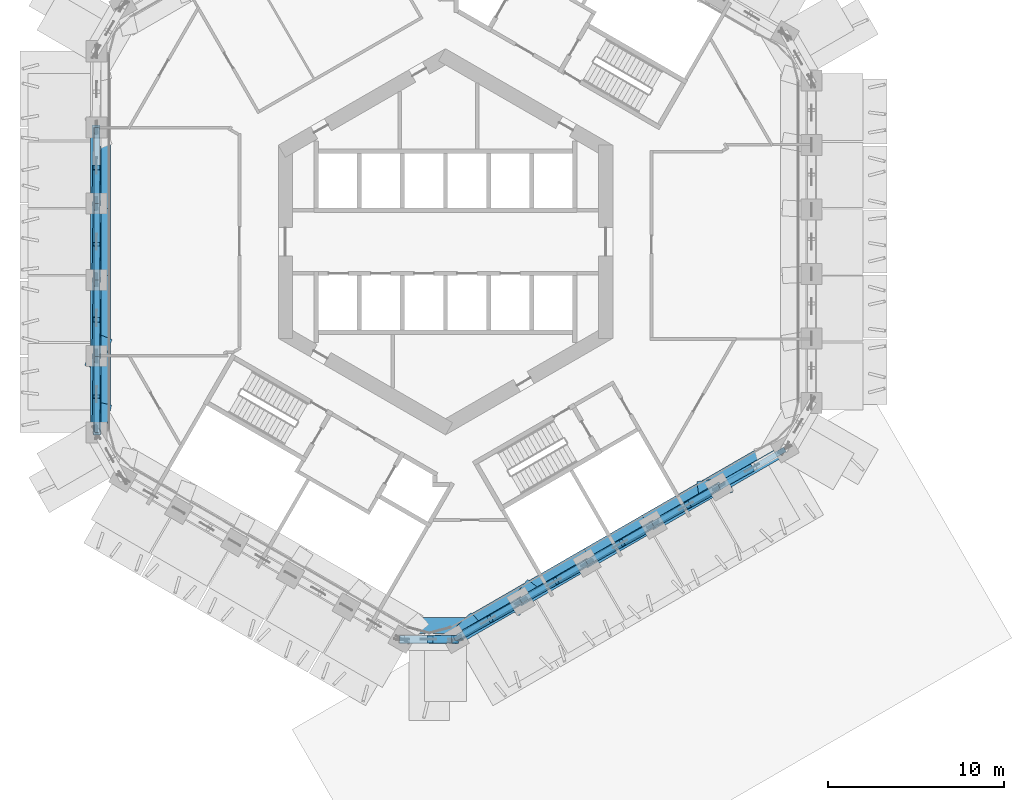
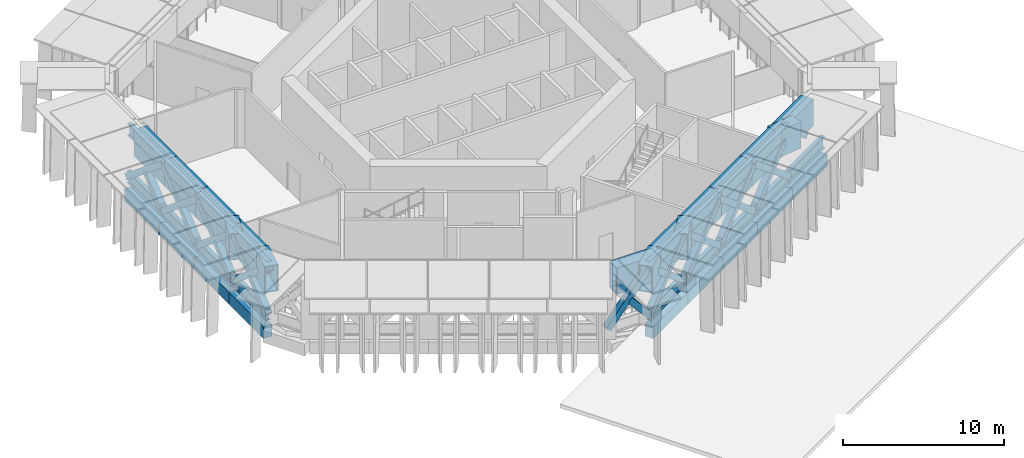
# One storey, part 2 of 16: 43 members, 24 beams.
"""IFC4 building model written with IfcOpenShell, lengths in metres."""

from ifc_helpers import new_model, si_unit, direction, frame, origin, origin_2d, place, context, subcontext, project, spatial, rectangle, hollow_rectangle, i_section, extrude, material, material_profile, profile_set, type_object, element, save


model = new_model("IFC4")

# Units and contexts
model_context = context("Model", 3, precision=1e-05, world=origin(), true_north=direction((0.0, 1.0)))
body_context = subcontext(model_context, "Body", "Model", "MODEL_VIEW")
ifc_project = project(units=[si_unit("LENGTHUNIT", "METRE"), si_unit("AREAUNIT", "SQUARE_METRE"), si_unit("VOLUMEUNIT", "CUBIC_METRE"), si_unit("PLANEANGLEUNIT", "RADIAN"), si_unit("MASSUNIT", "GRAM", prefix="KILO")], contexts=[model_context])

# Site, building, storey
site_placement = place(None, origin())
site = spatial("IfcSite", under=ifc_project, at=site_placement, CompositionType="ELEMENT")
building_placement = place(site_placement, origin())
building = spatial("IfcBuilding", under=site, at=building_placement, Name="Ayvan Gate Tower", CompositionType="ELEMENT")
storey_placement = place(building_placement, frame((0.0, 0.0, 78.300048828125)))
storey = spatial("IfcBuildingStorey", under=building, at=storey_placement, Name="L20", CompositionType="ELEMENT", Elevation=78.300048828125)

# Members
ifc_material_1 = material(Name="Steel S460ML", Category="steel")
ifc_material_profile_1 = material_profile(ifc_material_1, hollow_rectangle(XDim=0.449951171875, YDim=0.449951171875, WallThickness=0.02490234375, at=origin_2d()), Name="BOX 450x450x25")
ifc_profile_set_1 = profile_set([ifc_material_profile_1], Name="Steel S460ML")
member_type_1 = type_object("IfcMemberType", Name="Belt truss brace BT1 BOX 450x450x25", PredefinedType="BRACE", material=ifc_profile_set_1)
member_1_placement = place(storey_placement, frame((-19.855224609375, 6.482666015625, 0.449951171875), z_axis=(0.011097734625, -0.772166393817, 0.635323461353), x_axis=(0.999896735842, 0.014370722056, 0.0)))
element("IfcMember", 1, at=member_1_placement, inside=storey, type_object=member_type_1, Name="BT1-DA-20", PredefinedType="BRACE", context=body_context, shape_type="SweptSolid", body=[
    extrude(hollow_rectangle(XDim=0.449951171875, YDim=0.449951171875, WallThickness=0.02490234375, at=origin_2d()), origin(), (0.0, 0.0, 1.0), 5.587890625),
])
member_2_placement = place(storey_placement, frame((-19.855224609375, 2.160888671875, 0.449951171875), z_axis=(0.011060335074, 0.774223455215, 0.632815700171), x_axis=(-0.9998979748, 0.014284256783, 0.0)))
element("IfcMember", 2, at=member_2_placement, inside=storey, type_object=member_type_1, Name="BT1-DB-20", PredefinedType="BRACE", context=body_context, shape_type="SweptSolid", body=[
    extrude(hollow_rectangle(XDim=0.449951171875, YDim=0.449951171875, WallThickness=0.02490234375, at=origin_2d()), origin(), (0.0, 0.0, 1.0), 2.6708984375),
])
member_3_placement = place(storey_placement, frame((-19.855224609375, 2.160888671875, 0.449951171875), z_axis=(0.011076047031, -0.773186574427, 0.634081889276), x_axis=(0.99989741021, 0.014323723546, 0.0)))
element("IfcMember", 3, at=member_3_placement, inside=storey, type_object=member_type_1, Name="BT1-DA-21", PredefinedType="BRACE", context=body_context, shape_type="SweptSolid", body=[
    extrude(hollow_rectangle(XDim=0.449951171875, YDim=0.449951171875, WallThickness=0.02490234375, at=origin_2d()), origin(), (0.0, 0.0, 1.0), 5.5986328125),
])
member_4_placement = place(storey_placement, frame((-19.855224609375, -2.160888671875, 0.449951171875), z_axis=(0.011083709293, 0.773203224326, 0.63406145229), x_axis=(-0.999897272665, 0.01433332188, 0.0)))
element("IfcMember", 4, at=member_4_placement, inside=storey, type_object=member_type_1, Name="BT1-DB-21", PredefinedType="BRACE", context=body_context, shape_type="SweptSolid", body=[
    extrude(hollow_rectangle(XDim=0.449951171875, YDim=0.449951171875, WallThickness=0.02490234375, at=origin_2d()), origin(), (0.0, 0.0, 1.0), 2.665283203125),
])
member_5_placement = place(storey_placement, frame((-19.82275390625, 0.10009765625, 2.30419921875), z_axis=(0.011045625164, 0.773193761481, 0.634073656109), x_axis=(-0.9998979748, 0.014284256783, 0.0)))
element("IfcMember", 5, at=member_5_placement, inside=storey, type_object=member_type_1, Name="BT1-DC-21", PredefinedType="BRACE", context=body_context, shape_type="SweptSolid", body=[
    extrude(hollow_rectangle(XDim=0.449951171875, YDim=0.449951171875, WallThickness=0.02490234375, at=origin_2d()), origin(), (0.0, 0.0, 1.0), 2.674560546875),
])
member_6_placement = place(storey_placement, frame((-19.855224609375, -2.160888671875, 0.449951171875), z_axis=(0.011054043191, -0.774218221927, 0.632822212762), x_axis=(0.999898089449, 0.014276229046, 0.0)))
element("IfcMember", 6, at=member_6_placement, inside=storey, type_object=member_type_1, Name="BT1-DA-22", PredefinedType="BRACE", context=body_context, shape_type="SweptSolid", body=[
    extrude(hollow_rectangle(XDim=0.449951171875, YDim=0.449951171875, WallThickness=0.02490234375, at=origin_2d()), origin(), (0.0, 0.0, 1.0), 5.60986328125),
])
member_7_placement = place(storey_placement, frame((-19.855224609375, -6.482666015625, 0.449951171875), z_axis=(0.01110650579, 0.772131625665, 0.635365562631), x_axis=(-0.999896563259, 0.014382725173, 0.0)))
element("IfcMember", 7, at=member_7_placement, inside=storey, type_object=member_type_1, Name="BT1-DB-22", PredefinedType="BRACE", context=body_context, shape_type="SweptSolid", body=[
    extrude(hollow_rectangle(XDim=0.449951171875, YDim=0.449951171875, WallThickness=0.02490234375, at=origin_2d()), origin(), (0.0, 0.0, 1.0), 2.659912109375),
])
member_8_placement = place(storey_placement, frame((-19.82275390625, -4.22900390625, 2.30419921875), z_axis=(0.011067483184, 0.772162752363, 0.635328414821), x_axis=(-0.999897296997, 0.014331624371, 0.0)))
element("IfcMember", 8, at=member_8_placement, inside=storey, type_object=member_type_1, Name="BT1-DC-22", PredefinedType="BRACE", context=body_context, shape_type="SweptSolid", body=[
    extrude(hollow_rectangle(XDim=0.449951171875, YDim=0.449951171875, WallThickness=0.02490234375, at=origin_2d()), origin(), (0.0, 0.0, 1.0), 2.669189453125),
])
member_9_placement = place(storey_placement, frame((-19.855224609375, -6.482666015625, 0.449951171875), z_axis=(0.011032097526, -0.775243735185, 0.631565866621), x_axis=(0.999898761966, 0.014229048436, 0.0)))
element("IfcMember", 9, at=member_9_placement, inside=storey, type_object=member_type_1, Name="BT1-DA-23", PredefinedType="BRACE", context=body_context, shape_type="SweptSolid", body=[
    extrude(hollow_rectangle(XDim=0.449951171875, YDim=0.449951171875, WallThickness=0.02490234375, at=origin_2d()), origin(), (0.0, 0.0, 1.0), 5.62109375),
])
member_10_placement = place(storey_placement, frame((-19.855224609375, -10.8046875, 0.449951171875), z_axis=(0.011129226693, 0.771135839605, 0.636573371411), x_axis=(-0.999895871319, 0.014430749097, 0.0)))
element("IfcMember", 10, at=member_10_placement, inside=storey, type_object=member_type_1, Name="BT1-DB-23", PredefinedType="BRACE", context=body_context, shape_type="SweptSolid", body=[
    extrude(hollow_rectangle(XDim=0.449951171875, YDim=0.449951171875, WallThickness=0.02490234375, at=origin_2d()), origin(), (0.0, 0.0, 1.0), 2.654296875),
])
member_11_placement = place(storey_placement, frame((-19.82275390625, -8.55810546875, 2.304443359375), z_axis=(0.011090829327, 0.771133447352, 0.636576939482), x_axis=(-0.999896587843, 0.014381015943, 0.0)))
element("IfcMember", 11, at=member_11_placement, inside=storey, type_object=member_type_1, Name="BT1-DC-23", PredefinedType="BRACE", context=body_context, shape_type="SweptSolid", body=[
    extrude(hollow_rectangle(XDim=0.449951171875, YDim=0.449951171875, WallThickness=0.02490234375, at=origin_2d()), origin(), (0.0, 0.0, 1.0), 2.66357421875),
])
member_12_placement = place(storey_placement, frame((-2.429443359375, -22.597412109375, 0.449951171875), z_axis=(0.637550547431, 0.007787928409, 0.770369163221), x_axis=(-0.012214478467, 0.999925400475, 0.0)))
element("IfcMember", 12, at=member_12_placement, inside=storey, type_object=member_type_1, Name="BT1-DA-30", PredefinedType="BRACE", context=body_context, shape_type="SweptSolid", body=[
    extrude(hollow_rectangle(XDim=0.449951171875, YDim=0.449951171875, WallThickness=0.02490234375, at=origin_2d()), origin(), (0.0, 0.0, 1.0), 4.608154296875),
])
member_13_placement = place(storey_placement, frame((0.570556640625, -22.597412109375, 0.449951171875), z_axis=(-0.653109793759, 0.007712160183, 0.757223956225), x_axis=(-0.011807543893, -0.999930288524, 0.0)))
element("IfcMember", 13, at=member_13_placement, inside=storey, type_object=member_type_1, Name="BT1-DB-30", PredefinedType="BRACE", context=body_context, shape_type="SweptSolid", body=[
    extrude(hollow_rectangle(XDim=0.449951171875, YDim=0.449951171875, WallThickness=0.02490234375, at=origin_2d()), origin(), (0.0, 0.0, 1.0), 2.216064453125),
])
member_14_placement = place(storey_placement, frame((0.570556640625, -22.597412109375, 0.449951171875), z_axis=(0.662247160922, 0.395194362507, 0.636592580615), x_axis=(-0.512440630482, 0.858722656177, 0.0)))
element("IfcMember", 14, at=member_14_placement, inside=storey, type_object=member_type_1, Name="BT1-DA-31", PredefinedType="BRACE", context=body_context, shape_type="SweptSolid", body=[
    extrude(hollow_rectangle(XDim=0.449951171875, YDim=0.449951171875, WallThickness=0.02490234375, at=origin_2d()), origin(), (0.0, 0.0, 1.0), 5.57666015625),
])
member_15_placement = place(storey_placement, frame((4.313232421875, -20.4365234375, 0.449951171875), z_axis=(-0.676868380421, -0.378024604915, 0.631622192188), x_axis=(0.487599820188, -0.873067245607, 0.0)))
element("IfcMember", 15, at=member_15_placement, inside=storey, type_object=member_type_1, Name="BT1-DB-31", PredefinedType="BRACE", context=body_context, shape_type="SweptSolid", body=[
    extrude(hollow_rectangle(XDim=0.449951171875, YDim=0.449951171875, WallThickness=0.02490234375, at=origin_2d()), origin(), (0.0, 0.0, 1.0), 2.67626953125),
])
member_16_placement = place(storey_placement, frame((2.326416015625, -21.546142578125, 2.3037109375), z_axis=(-0.676867414501, -0.378067630528, 0.631597474611), x_axis=(0.487642651369, -0.873043323418, 0.0)))
element("IfcMember", 16, at=member_16_placement, inside=storey, type_object=member_type_1, Name="BT1-DC-31", PredefinedType="BRACE", context=body_context, shape_type="SweptSolid", body=[
    extrude(hollow_rectangle(XDim=0.449951171875, YDim=0.449951171875, WallThickness=0.02490234375, at=origin_2d()), origin(), (0.0, 0.0, 1.0), 2.685791015625),
])
member_17_placement = place(storey_placement, frame((4.313232421875, -20.4365234375, 0.449951171875), z_axis=(0.663178716031, 0.395705226371, 0.635304151117), x_axis=(-0.512397623418, 0.858748319076, 0.0)))
element("IfcMember", 17, at=member_17_placement, inside=storey, type_object=member_type_1, Name="BT1-DA-32", PredefinedType="BRACE", context=body_context, shape_type="SweptSolid", body=[
    extrude(hollow_rectangle(XDim=0.449951171875, YDim=0.449951171875, WallThickness=0.02490234375, at=origin_2d()), origin(), (0.0, 0.0, 1.0), 5.587890625),
])
member_18_placement = place(storey_placement, frame((8.05615234375, -18.275390625, 0.449951171875), z_axis=(-0.676022082668, -0.37758886202, 0.632788112265), x_axis=(0.487636150485, -0.873046954488, 0.0)))
element("IfcMember", 18, at=member_18_placement, inside=storey, type_object=member_type_1, Name="BT1-DB-32", PredefinedType="BRACE", context=body_context, shape_type="SweptSolid", body=[
    extrude(hollow_rectangle(XDim=0.449951171875, YDim=0.449951171875, WallThickness=0.02490234375, at=origin_2d()), origin(), (0.0, 0.0, 1.0), 2.6708984375),
])
member_19_placement = place(storey_placement, frame((6.07568359375, -19.381591796875, 2.303955078125), z_axis=(-0.676047362358, -0.377555418617, 0.632781059863), x_axis=(0.487589330989, -0.873073103643, 0.0)))
element("IfcMember", 19, at=member_19_placement, inside=storey, type_object=member_type_1, Name="BT1-DC-32", PredefinedType="BRACE", context=body_context, shape_type="SweptSolid", body=[
    extrude(hollow_rectangle(XDim=0.449951171875, YDim=0.449951171875, WallThickness=0.02490234375, at=origin_2d()), origin(), (0.0, 0.0, 1.0), 2.680419921875),
])
member_20_placement = place(storey_placement, frame((8.05615234375, -18.275390625, 0.449951171875), z_axis=(0.66407886409, 0.396162353422, 0.634077796489), x_axis=(-0.512321353075, 0.858793823443, 0.0)))
element("IfcMember", 20, at=member_20_placement, inside=storey, type_object=member_type_1, Name="BT1-DA-33", PredefinedType="BRACE", context=body_context, shape_type="SweptSolid", body=[
    extrude(hollow_rectangle(XDim=0.449951171875, YDim=0.449951171875, WallThickness=0.02490234375, at=origin_2d()), origin(), (0.0, 0.0, 1.0), 5.598876953125),
])
member_21_placement = place(storey_placement, frame((11.799072265625, -16.114501953125, 0.449951171875), z_axis=(-0.675167668455, -0.377016703753, 0.634040238916), x_axis=(0.48754257962, -0.873099211463, 0.0)))
element("IfcMember", 21, at=member_21_placement, inside=storey, type_object=member_type_1, Name="BT1-DB-33", PredefinedType="BRACE", context=body_context, shape_type="SweptSolid", body=[
    extrude(hollow_rectangle(XDim=0.449951171875, YDim=0.449951171875, WallThickness=0.02490234375, at=origin_2d()), origin(), (0.0, 0.0, 1.0), 2.665283203125),
])
member_22_placement = place(storey_placement, frame((9.82470703125, -17.217041015625, 2.30419921875), z_axis=(-0.67514630902, -0.377008417557, 0.634067910013), x_axis=(0.48754616895, -0.873097207155, 0.0)))
element("IfcMember", 22, at=member_22_placement, inside=storey, type_object=member_type_1, Name="BT1-DC-33", PredefinedType="BRACE", context=body_context, shape_type="SweptSolid", body=[
    extrude(hollow_rectangle(XDim=0.449951171875, YDim=0.449951171875, WallThickness=0.02490234375, at=origin_2d()), origin(), (0.0, 0.0, 1.0), 2.674560546875),
])
member_23_placement = place(storey_placement, frame((11.799072265625, -16.114501953125, 0.449951171875), z_axis=(0.66495091716, 0.396690071989, 0.632832730311), x_axis=(-0.512328484864, 0.858789568868, 0.0)))
element("IfcMember", 23, at=member_23_placement, inside=storey, type_object=member_type_1, Name="BT1-DA-34", PredefinedType="BRACE", context=body_context, shape_type="SweptSolid", body=[
    extrude(hollow_rectangle(XDim=0.449951171875, YDim=0.449951171875, WallThickness=0.02490234375, at=origin_2d()), origin(), (0.0, 0.0, 1.0), 5.60986328125),
])
member_24_placement = place(storey_placement, frame((15.541748046875, -13.95361328125, 0.449951171875), z_axis=(-0.674245216454, -0.37649794145, 0.635328803198), x_axis=(0.487538965836, -0.873101229407, 0.0)))
element("IfcMember", 24, at=member_24_placement, inside=storey, type_object=member_type_1, Name="BT1-DB-34", PredefinedType="BRACE", context=body_context, shape_type="SweptSolid", body=[
    extrude(hollow_rectangle(XDim=0.449951171875, YDim=0.449951171875, WallThickness=0.02490234375, at=origin_2d()), origin(), (0.0, 0.0, 1.0), 2.659912109375),
])
member_25_placement = place(storey_placement, frame((13.57373046875, -15.052490234375, 2.30419921875), z_axis=(-0.674226930319, -0.376491391289, 0.635352090354), x_axis=(0.48754257962, -0.873099211463, 0.0)))
element("IfcMember", 25, at=member_25_placement, inside=storey, type_object=member_type_1, Name="BT1-DC-34", PredefinedType="BRACE", context=body_context, shape_type="SweptSolid", body=[
    extrude(hollow_rectangle(XDim=0.449951171875, YDim=0.449951171875, WallThickness=0.02490234375, at=origin_2d()), origin(), (0.0, 0.0, 1.0), 2.669189453125),
])
member_26_placement = place(storey_placement, frame((17.322998046875, -12.887939453125, 2.304443359375), z_axis=(-0.673414539558, -0.375891251767, 0.636567847725), x_axis=(0.4873977702, -0.873180057951, 0.0)))
element("IfcMember", 26, at=member_26_placement, inside=storey, type_object=member_type_1, Name="BT1-DC-35", PredefinedType="BRACE", context=body_context, shape_type="SweptSolid", body=[
    extrude(hollow_rectangle(XDim=0.449951171875, YDim=0.449951171875, WallThickness=0.02490234375, at=origin_2d()), origin(), (0.0, 0.0, 1.0), 2.66357421875),
])
ifc_material_profile_2 = material_profile(ifc_material_1, i_section(OverallWidth=0.300048828125, OverallDepth=0.89990234375, WebThickness=0.0185546875, FlangeThickness=0.034912109375, FilletRadius=0.030029296875, at=origin_2d()), Name="HE 900 B")
ifc_profile_set_2 = profile_set([ifc_material_profile_2], Name="Steel S460ML")
member_type_2 = type_object("IfcMemberType", Name="Belt truss chord BT1 HE 900 B", PredefinedType="CHORD", material=ifc_profile_set_2)
member_27_placement = place(storey_placement, frame((-19.855224609375, 6.482666015625, 0.449951171875), z_axis=(0.0, -1.0, 0.0), x_axis=(1.0, 0.0, 0.0)))
element("IfcMember", 27, at=member_27_placement, inside=storey, type_object=member_type_2, Name="BT1-BC-20", PredefinedType="CHORD", context=body_context, shape_type="SweptSolid", body=[
    extrude(i_section(OverallWidth=0.300048828125, OverallDepth=0.89990234375, WebThickness=0.0185546875, FlangeThickness=0.034912109375, FilletRadius=0.030029296875, at=origin_2d()), origin(), (0.0, 0.0, 1.0), 4.32177734375),
])
member_28_placement = place(storey_placement, frame((-19.793212890625, 6.504150390625, 4.0), z_axis=(0.0, -1.0, 0.0), x_axis=(1.0, 0.0, 0.0)))
element("IfcMember", 28, at=member_28_placement, inside=storey, type_object=member_type_2, Name="BT1-TC-20", PredefinedType="CHORD", context=body_context, shape_type="SweptSolid", body=[
    extrude(i_section(OverallWidth=0.300048828125, OverallDepth=0.89990234375, WebThickness=0.0185546875, FlangeThickness=0.034912109375, FilletRadius=0.030029296875, at=origin_2d()), origin(), (0.0, 0.0, 1.0), 4.336181640625),
])
member_29_placement = place(storey_placement, frame((-19.855224609375, 2.160888671875, 0.449951171875), z_axis=(0.0, -1.0, 0.0), x_axis=(1.0, 0.0, 0.0)))
element("IfcMember", 29, at=member_29_placement, inside=storey, type_object=member_type_2, Name="BT1-BC-21", PredefinedType="CHORD", context=body_context, shape_type="SweptSolid", body=[
    extrude(i_section(OverallWidth=0.300048828125, OverallDepth=0.89990234375, WebThickness=0.0185546875, FlangeThickness=0.034912109375, FilletRadius=0.030029296875, at=origin_2d()), origin(), (0.0, 0.0, 1.0), 4.32177734375),
])
member_30_placement = place(storey_placement, frame((-19.793212890625, 2.16796875, 4.0), z_axis=(0.0, -1.0, 0.0), x_axis=(1.0, 0.0, 0.0)))
element("IfcMember", 30, at=member_30_placement, inside=storey, type_object=member_type_2, Name="BT1-TC-21", PredefinedType="CHORD", context=body_context, shape_type="SweptSolid", body=[
    extrude(i_section(OverallWidth=0.300048828125, OverallDepth=0.89990234375, WebThickness=0.0185546875, FlangeThickness=0.034912109375, FilletRadius=0.030029296875, at=origin_2d()), origin(), (0.0, 0.0, 1.0), 4.3359375),
])
member_31_placement = place(storey_placement, frame((-19.855224609375, -2.160888671875, 0.449951171875), z_axis=(0.0, -1.0, 0.0), x_axis=(1.0, 0.0, 0.0)))
element("IfcMember", 31, at=member_31_placement, inside=storey, type_object=member_type_2, Name="BT1-BC-22", PredefinedType="CHORD", context=body_context, shape_type="SweptSolid", body=[
    extrude(i_section(OverallWidth=0.300048828125, OverallDepth=0.89990234375, WebThickness=0.0185546875, FlangeThickness=0.034912109375, FilletRadius=0.030029296875, at=origin_2d()), origin(), (0.0, 0.0, 1.0), 4.32177734375),
])
member_32_placement = place(storey_placement, frame((-19.793212890625, -2.16796875, 4.0), z_axis=(0.0, -1.0, 0.0), x_axis=(1.0, 0.0, 0.0)))
element("IfcMember", 32, at=member_32_placement, inside=storey, type_object=member_type_2, Name="BT1-TC-22", PredefinedType="CHORD", context=body_context, shape_type="SweptSolid", body=[
    extrude(i_section(OverallWidth=0.300048828125, OverallDepth=0.89990234375, WebThickness=0.0185546875, FlangeThickness=0.034912109375, FilletRadius=0.030029296875, at=origin_2d()), origin(), (0.0, 0.0, 1.0), 4.336181640625),
])
member_33_placement = place(storey_placement, frame((-19.855224609375, -6.482666015625, 0.449951171875), z_axis=(0.0, -1.0, 0.0), x_axis=(1.0, 0.0, 0.0)))
element("IfcMember", 33, at=member_33_placement, inside=storey, type_object=member_type_2, Name="BT1-BC-23", PredefinedType="CHORD", context=body_context, shape_type="SweptSolid", body=[
    extrude(i_section(OverallWidth=0.300048828125, OverallDepth=0.89990234375, WebThickness=0.0185546875, FlangeThickness=0.034912109375, FilletRadius=0.030029296875, at=origin_2d()), origin(), (0.0, 0.0, 1.0), 4.322021484375),
])
member_34_placement = place(storey_placement, frame((-19.793212890625, -6.504150390625, 4.0), z_axis=(0.0, -1.0, 0.0), x_axis=(1.0, 0.0, 0.0)))
element("IfcMember", 34, at=member_34_placement, inside=storey, type_object=member_type_2, Name="BT1-TC-23", PredefinedType="CHORD", context=body_context, shape_type="SweptSolid", body=[
    extrude(i_section(OverallWidth=0.300048828125, OverallDepth=0.89990234375, WebThickness=0.0185546875, FlangeThickness=0.034912109375, FilletRadius=0.030029296875, at=origin_2d()), origin(), (0.0, 0.0, 1.0), 4.336181640625),
])
member_35_placement = place(storey_placement, frame((0.570556640625, -22.597412109375, 0.449951171875), z_axis=(0.866020013031, 0.500009336943, 0.0), x_axis=(-0.500009336943, 0.866020013031, 0.0)))
element("IfcMember", 35, at=member_35_placement, inside=storey, type_object=member_type_2, Name="BT1-BC-31", PredefinedType="CHORD", context=body_context, shape_type="SweptSolid", body=[
    extrude(i_section(OverallWidth=0.300048828125, OverallDepth=0.89990234375, WebThickness=0.0185546875, FlangeThickness=0.034912109375, FilletRadius=0.030029296875, at=origin_2d()), origin(), (0.0, 0.0, 1.0), 4.32177734375),
])
member_36_placement = place(storey_placement, frame((0.508544921875, -22.5615234375, 4.0), z_axis=(0.866030877007, 0.499990519981, 0.0), x_axis=(-0.499990519981, 0.866030877007, 0.0)))
element("IfcMember", 36, at=member_36_placement, inside=storey, type_object=member_type_2, Name="BT1-TC-31", PredefinedType="CHORD", context=body_context, shape_type="SweptSolid", body=[
    extrude(i_section(OverallWidth=0.300048828125, OverallDepth=0.89990234375, WebThickness=0.0185546875, FlangeThickness=0.034912109375, FilletRadius=0.030029296875, at=origin_2d()), origin(), (0.0, 0.0, 1.0), 4.3359375),
])
member_37_placement = place(storey_placement, frame((4.313232421875, -20.4365234375, 0.449951171875), z_axis=(0.866009675141, 0.50002724182, 0.0), x_axis=(-0.50002724182, 0.866009675141, 0.0)))
element("IfcMember", 37, at=member_37_placement, inside=storey, type_object=member_type_2, Name="BT1-BC-32", PredefinedType="CHORD", context=body_context, shape_type="SweptSolid", body=[
    extrude(i_section(OverallWidth=0.300048828125, OverallDepth=0.89990234375, WebThickness=0.0185546875, FlangeThickness=0.034912109375, FilletRadius=0.030029296875, at=origin_2d()), origin(), (0.0, 0.0, 1.0), 4.322021484375),
])
member_38_placement = place(storey_placement, frame((4.263671875, -20.3935546875, 4.0), z_axis=(0.866020572816, 0.500008367389, 0.0), x_axis=(-0.500008367389, 0.866020572816, 0.0)))
element("IfcMember", 38, at=member_38_placement, inside=storey, type_object=member_type_2, Name="BT1-TC-32", PredefinedType="CHORD", context=body_context, shape_type="SweptSolid", body=[
    extrude(i_section(OverallWidth=0.300048828125, OverallDepth=0.89990234375, WebThickness=0.0185546875, FlangeThickness=0.034912109375, FilletRadius=0.030029296875, at=origin_2d()), origin(), (0.0, 0.0, 1.0), 4.33642578125),
])
member_39_placement = place(storey_placement, frame((8.05615234375, -18.275390625, 0.449951171875), z_axis=(0.866034135484, 0.499984875948, 0.0), x_axis=(-0.499984875948, 0.866034135484, 0.0)))
element("IfcMember", 39, at=member_39_placement, inside=storey, type_object=member_type_2, Name="BT1-BC-33", PredefinedType="CHORD", context=body_context, shape_type="SweptSolid", body=[
    extrude(i_section(OverallWidth=0.300048828125, OverallDepth=0.89990234375, WebThickness=0.0185546875, FlangeThickness=0.034912109375, FilletRadius=0.030029296875, at=origin_2d()), origin(), (0.0, 0.0, 1.0), 4.322021484375),
])
member_40_placement = place(storey_placement, frame((8.01904296875, -18.225341796875, 4.0), z_axis=(0.866030877007, 0.499990519981, 0.0), x_axis=(-0.499990519981, 0.866030877007, 0.0)))
element("IfcMember", 40, at=member_40_placement, inside=storey, type_object=member_type_2, Name="BT1-TC-33", PredefinedType="CHORD", context=body_context, shape_type="SweptSolid", body=[
    extrude(i_section(OverallWidth=0.300048828125, OverallDepth=0.89990234375, WebThickness=0.0185546875, FlangeThickness=0.034912109375, FilletRadius=0.030029296875, at=origin_2d()), origin(), (0.0, 0.0, 1.0), 4.3359375),
])
member_41_placement = place(storey_placement, frame((11.799072265625, -16.114501953125, 0.449951171875), z_axis=(0.866020013031, 0.500009336943, 0.0), x_axis=(-0.500009336943, 0.866020013031, 0.0)))
element("IfcMember", 41, at=member_41_placement, inside=storey, type_object=member_type_2, Name="BT1-BC-34", PredefinedType="CHORD", context=body_context, shape_type="SweptSolid", body=[
    extrude(i_section(OverallWidth=0.300048828125, OverallDepth=0.89990234375, WebThickness=0.0185546875, FlangeThickness=0.034912109375, FilletRadius=0.030029296875, at=origin_2d()), origin(), (0.0, 0.0, 1.0), 4.32177734375),
])
member_42_placement = place(storey_placement, frame((11.774169921875, -16.057373046875, 4.0), z_axis=(0.866006496088, 0.50003274766, 0.0), x_axis=(-0.50003274766, 0.866006496088, 0.0)))
element("IfcMember", 42, at=member_42_placement, inside=storey, type_object=member_type_2, Name="BT1-TC-34", PredefinedType="CHORD", context=body_context, shape_type="SweptSolid", body=[
    extrude(i_section(OverallWidth=0.300048828125, OverallDepth=0.89990234375, WebThickness=0.0185546875, FlangeThickness=0.034912109375, FilletRadius=0.030029296875, at=origin_2d()), origin(), (0.0, 0.0, 1.0), 4.336181640625),
])
member_43_placement = place(storey_placement, frame((15.541748046875, -13.95361328125, 0.449951171875), z_axis=(0.866034135484, 0.499984875948, 0.0), x_axis=(-0.499984875948, 0.866034135484, 0.0)))
element("IfcMember", 43, at=member_43_placement, inside=storey, type_object=member_type_2, Name="BT1-BC-35", PredefinedType="CHORD", context=body_context, shape_type="SweptSolid", body=[
    extrude(i_section(OverallWidth=0.300048828125, OverallDepth=0.89990234375, WebThickness=0.0185546875, FlangeThickness=0.034912109375, FilletRadius=0.030029296875, at=origin_2d()), origin(), (0.0, 0.0, 1.0), 4.322021484375),
])

# Beams
ifc_material_2 = material(Name="Concrete C40/50", Category="concrete")
ifc_material_profile_3 = material_profile(ifc_material_2, rectangle(XDim=0.60009765625, YDim=0.89990234375, at=origin_2d()), Name="RC 600x900")
ifc_profile_set_3 = profile_set([ifc_material_profile_3], Name="Concrete C40/50")
beam_type_1 = type_object("IfcBeamType", Name="Spandrel beam RC 600x900 C40/50", PredefinedType="BEAM", material=ifc_profile_set_3)
beam_1_placement = place(storey_placement, frame((-19.8779296875, 6.474853515625, -0.85009765625), z_axis=(0.0, -1.0, 0.0), x_axis=(1.0, 0.0, 0.0)))
element("IfcBeam", 44, at=beam_1_placement, inside=storey, type_object=beam_type_1, Name="SB-L20-20", PredefinedType="BEAM", context=body_context, shape_type="SweptSolid", body=[
    extrude(rectangle(XDim=0.60009765625, YDim=0.89990234375, at=origin_2d()), origin(), (0.0, 0.0, 1.0), 4.316650390625),
])
beam_2_placement = place(storey_placement, frame((-19.8779296875, 2.158203125, -0.85009765625), z_axis=(0.0, -1.0, 0.0), x_axis=(1.0, 0.0, 0.0)))
element("IfcBeam", 45, at=beam_2_placement, inside=storey, type_object=beam_type_1, Name="SB-L20-21", PredefinedType="BEAM", context=body_context, shape_type="SweptSolid", body=[
    extrude(rectangle(XDim=0.60009765625, YDim=0.89990234375, at=origin_2d()), origin(), (0.0, 0.0, 1.0), 4.31640625),
])
for number, where, z_axis, x_axis, name in (
    (46, (-19.8779296875, -2.158203125, -0.85009765625), (0.0, -1.0, 0.0), (1.0, 0.0, 0.0), "SB-L20-22"),
    (47, (-19.8779296875, -6.474853515625, -0.85009765625), (0.0, -1.0, 0.0), (1.0, 0.0, 0.0), "SB-L20-23"),
    (48, (0.59326171875, -22.6103515625, -0.85009765625), (0.866034889475, 0.499983569942, 0.0), (-0.499983569942, 0.866034889475, 0.0), "SB-L20-31"),
    (49, (4.33154296875, -20.4521484375, -0.85009765625), (0.866034889475, 0.499983569942, 0.0), (-0.499983569942, 0.866034889475, 0.0), "SB-L20-32"),
    (50, (8.06982421875, -18.2939453125, -0.85009765625), (0.866010398801, 0.500025988493, 0.0), (-0.500025988493, 0.866010398801, 0.0), "SB-L20-33"),
    (51, (11.80810546875, -16.135498046875, -0.85009765625), (0.866034889475, 0.499983569942, 0.0), (-0.499983569942, 0.866034889475, 0.0), "SB-L20-34"),
    (52, (15.54638671875, -13.977294921875, -0.85009765625), (0.866010398801, 0.500025988493, 0.0), (-0.500025988493, 0.866010398801, 0.0), "SB-L20-35"),
):
    element("IfcBeam", number, at=place(storey_placement, frame(where, z_axis=z_axis, x_axis=x_axis)), inside=storey, type_object=beam_type_1, Name=name, PredefinedType="BEAM", context=body_context, shape_type="SweptSolid", body=[
        extrude(rectangle(XDim=0.60009765625, YDim=0.89990234375, at=origin_2d()), origin(), (0.0, 0.0, 1.0), 4.316650390625),
    ])
ifc_material_profile_4 = material_profile(ifc_material_1, hollow_rectangle(XDim=0.89990234375, YDim=2.0, WallThickness=0.06005859375, at=origin_2d()), Name="BOX 900x2000x60")
ifc_profile_set_4 = profile_set([ifc_material_profile_4], Name="Steel S460ML")
beam_type_2 = type_object("IfcBeamType", Name="Transfer ring girder BOX 900x2000x60", PredefinedType="BEAM", material=ifc_profile_set_4)
for number, where, z_axis, x_axis, name in (
    (53, (-19.485595703125, 5.710693359375, 3.449951171875), (0.0, -1.0, 0.0), (1.0, 0.0, 0.0), "TR-L20-20"),
    (54, (-19.485595703125, 1.903564453125, 3.449951171875), (0.0, -1.0, 0.0), (1.0, 0.0, 0.0), "TR-L20-21"),
    (55, (-19.485595703125, -1.903564453125, 3.449951171875), (0.0, -1.0, 0.0), (1.0, 0.0, 0.0), "TR-L20-22"),
):
    element("IfcBeam", number, at=place(storey_placement, frame(where, z_axis=z_axis, x_axis=x_axis)), inside=storey, type_object=beam_type_2, Name=name, PredefinedType="BEAM", context=body_context, shape_type="SweptSolid", body=[
        extrude(hollow_rectangle(XDim=0.89990234375, YDim=2.0, WallThickness=0.06005859375, at=origin_2d()), origin(), (0.0, 0.0, 1.0), 3.80712890625),
    ])
beam_3_placement = place(storey_placement, frame((-19.485595703125, -5.710693359375, 3.449951171875), z_axis=(0.0, -1.0, 0.0), x_axis=(1.0, 0.0, 0.0)))
element("IfcBeam", 56, at=beam_3_placement, inside=storey, type_object=beam_type_2, Name="TR-L20-23", PredefinedType="BEAM", context=body_context, shape_type="SweptSolid", body=[
    extrude(hollow_rectangle(XDim=0.89990234375, YDim=2.0, WallThickness=0.06005859375, at=origin_2d()), origin(), (0.0, 0.0, 1.0), 3.807373046875),
])
beam_4_placement = place(storey_placement, frame((-1.5, -21.803955078125, 3.449951171875), z_axis=(1.0, 0.0, 0.0), x_axis=(0.0, 1.0, 0.0)))
element("IfcBeam", 57, at=beam_4_placement, inside=storey, type_object=beam_type_2, Name="TR-L20-30", PredefinedType="BEAM", context=body_context, shape_type="SweptSolid", body=[
    extrude(hollow_rectangle(XDim=0.89990234375, YDim=2.0, WallThickness=0.06005859375, at=origin_2d()), origin(), (0.0, 0.0, 1.0), 3.0),
])
for number, where, z_axis, x_axis, name in (
    (58, (1.5, -21.634033203125, 3.449951171875), (0.866028607742, 0.499994450542, 0.0), (-0.499994450542, 0.866028607742, 0.0), "TR-L20-31"),
    (59, (4.797119140625, -19.73046875, 3.449951171875), (0.866028607742, 0.499994450542, 0.0), (-0.499994450542, 0.866028607742, 0.0), "TR-L20-32"),
):
    element("IfcBeam", number, at=place(storey_placement, frame(where, z_axis=z_axis, x_axis=x_axis)), inside=storey, type_object=beam_type_2, Name=name, PredefinedType="BEAM", context=body_context, shape_type="SweptSolid", body=[
        extrude(hollow_rectangle(XDim=0.89990234375, YDim=2.0, WallThickness=0.06005859375, at=origin_2d()), origin(), (0.0, 0.0, 1.0), 3.80712890625),
    ])
beam_5_placement = place(storey_placement, frame((8.09423828125, -17.826904296875, 3.449951171875), z_axis=(0.866000839906, 0.500042543472, 0.0), x_axis=(-0.500042543472, 0.866000839906, 0.0)))
element("IfcBeam", 60, at=beam_5_placement, inside=storey, type_object=beam_type_2, Name="TR-L20-33", PredefinedType="BEAM", context=body_context, shape_type="SweptSolid", body=[
    extrude(hollow_rectangle(XDim=0.89990234375, YDim=2.0, WallThickness=0.06005859375, at=origin_2d()), origin(), (0.0, 0.0, 1.0), 3.807373046875),
])
for number, where, z_axis, x_axis, name in (
    (61, (11.391357421875, -15.923095703125, 3.449951171875), (0.866028607742, 0.499994450542, 0.0), (-0.499994450542, 0.866028607742, 0.0), "TR-L20-34"),
    (62, (14.6884765625, -14.01953125, 3.449951171875), (0.866028607742, 0.499994450542, 0.0), (-0.499994450542, 0.866028607742, 0.0), "TR-L20-35"),
):
    element("IfcBeam", number, at=place(storey_placement, frame(where, z_axis=z_axis, x_axis=x_axis)), inside=storey, type_object=beam_type_2, Name=name, PredefinedType="BEAM", context=body_context, shape_type="SweptSolid", body=[
        extrude(hollow_rectangle(XDim=0.89990234375, YDim=2.0, WallThickness=0.06005859375, at=origin_2d()), origin(), (0.0, 0.0, 1.0), 3.80712890625),
    ])
beam_6_placement = place(storey_placement, frame((-20.072509765625, -7.173095703125, 3.449951171875), z_axis=(0.372483360999, 0.928038870834, 0.0), x_axis=(-0.928038870834, 0.372483360999, 0.0)))
element("IfcBeam", 63, at=beam_6_placement, inside=storey, type_object=beam_type_2, Name="TS-L20-T3-4", PredefinedType="BEAM", context=body_context, shape_type="SweptSolid", body=[
    extrude(hollow_rectangle(XDim=0.89990234375, YDim=2.0, WallThickness=0.06005859375, at=origin_2d()), origin(), (0.0, 0.0, 1.0), 1.92578125),
])
for number, where, z_axis, x_axis, name in (
    (64, (-19.91357421875, -11.29443359375, 3.449951171875), (0.234242258358, 0.972178257522, 0.0), (-0.972178257522, 0.234242258358, 0.0), "TS-L20-T3-5"),
    (65, (0.175537109375, -22.892822265625, 3.449951171875), (0.72482023387, 0.688938044074, 0.0), (-0.688938044074, 0.72482023387, 0.0), "TS-L20-T5-0"),
):
    element("IfcBeam", number, at=place(storey_placement, frame(where, z_axis=z_axis, x_axis=x_axis)), inside=storey, type_object=beam_type_2, Name=name, PredefinedType="BEAM", context=body_context, shape_type="SweptSolid", body=[
        extrude(hollow_rectangle(XDim=0.89990234375, YDim=2.0, WallThickness=0.06005859375, at=origin_2d()), origin(), (0.0, 0.0, 1.0), 2.17724609375),
    ])
beam_7_placement = place(storey_placement, frame((3.82421875, -20.969970703125, 3.449951171875), z_axis=(0.61740154168, 0.786648165529, 0.0), x_axis=(-0.786648165529, 0.61740154168, 0.0)))
element("IfcBeam", 66, at=beam_7_placement, inside=storey, type_object=beam_type_2, Name="TS-L20-T5-1", PredefinedType="BEAM", context=body_context, shape_type="SweptSolid", body=[
    extrude(hollow_rectangle(XDim=0.89990234375, YDim=2.0, WallThickness=0.06005859375, at=origin_2d()), origin(), (0.0, 0.0, 1.0), 1.92578125),
])
beam_8_placement = place(storey_placement, frame((16.248291015625, -13.796875, 3.449951171875), z_axis=(-0.989957099481, -0.141368105267, 0.0), x_axis=(0.141368105267, -0.989957099481, 0.0)))
element("IfcBeam", 67, at=beam_8_placement, inside=storey, type_object=beam_type_2, Name="TS-L20-T5-4", PredefinedType="BEAM", context=body_context, shape_type="SweptSolid", body=[
    extrude(hollow_rectangle(XDim=0.89990234375, YDim=2.0, WallThickness=0.06005859375, at=origin_2d()), origin(), (0.0, 0.0, 1.0), 1.925537109375),
])

save(model, "model.ifc")
